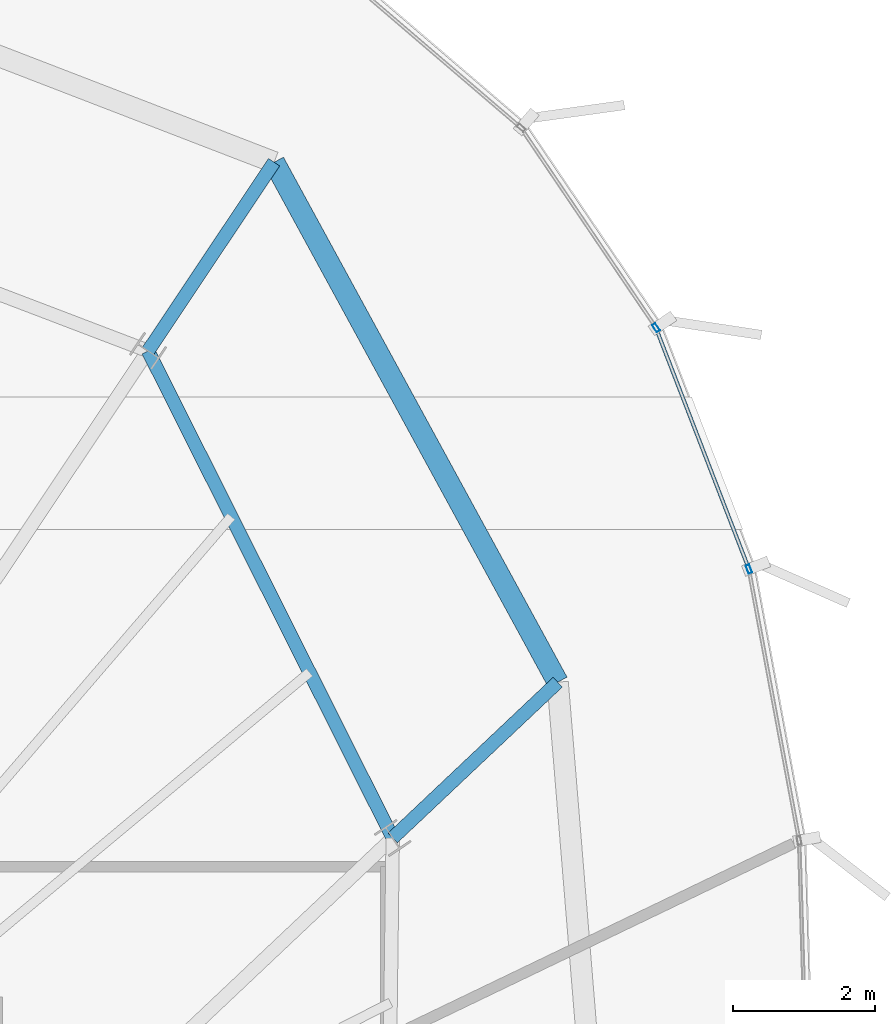
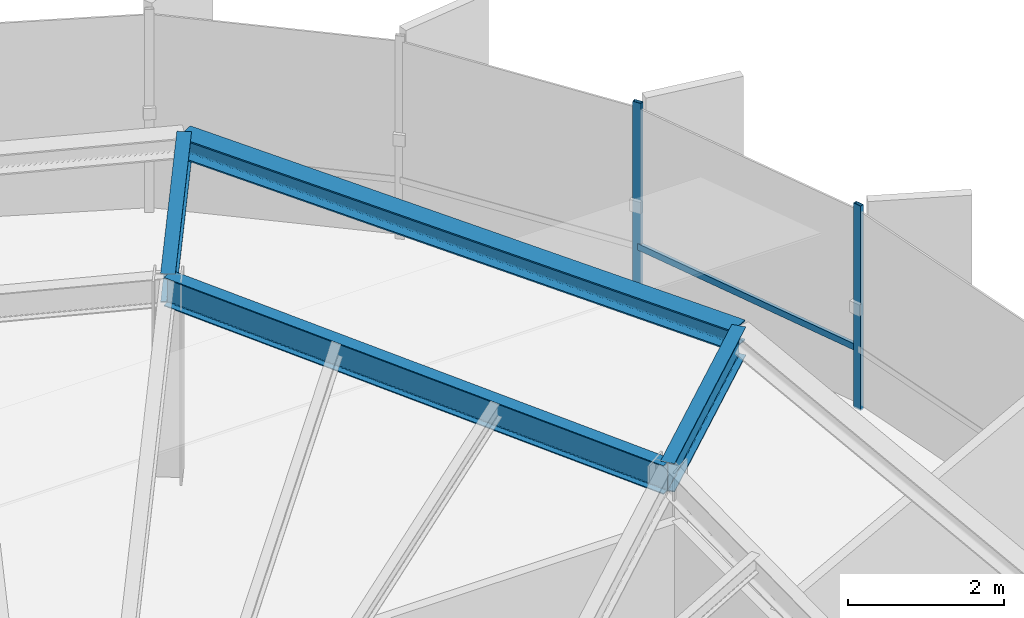
# One storey, part 23 of 33: 4 beams, 3 members, 1 element without a shape of its own.
"""IFC4 building model written with IfcOpenShell, lengths in metres."""

from ifc_helpers import new_model, si_unit, direction, frame, origin, origin_2d, place, context, subcontext, project, spatial, hollow_rectangle, i_section, extrude, source, transform, mapped, material, layer, layer_set, material_profile, profile_set, type_object, element, aggregate, save


model = new_model("IFC4")

# Units and contexts
model_context = context("Model", 3, precision=1e-05, world=origin(), true_north=direction((0.0, 1.0)))
body_context = subcontext(model_context, "Body", "Model", "MODEL_VIEW")
ifc_project = project(units=[si_unit("LENGTHUNIT", "METRE"), si_unit("AREAUNIT", "SQUARE_METRE"), si_unit("VOLUMEUNIT", "CUBIC_METRE"), si_unit("PLANEANGLEUNIT", "RADIAN"), si_unit("MASSUNIT", "GRAM", prefix="KILO"), si_unit("THERMODYNAMICTEMPERATUREUNIT", "KELVIN")], contexts=[model_context])

# Site, building, storey
site_placement = place(None, origin())
site = spatial("IfcSite", under=ifc_project, at=site_placement, CompositionType="ELEMENT")
building_placement = place(site_placement, origin())
building = spatial("IfcBuilding", under=site, at=building_placement, Name="Kethvar Cultural Tower", CompositionType="ELEMENT")
storey_placement = place(building_placement, frame((0.0, 0.0, 266.35009765625)))
storey = spatial("IfcBuildingStorey", under=building, at=storey_placement, Name="L70", CompositionType="ELEMENT", Elevation=266.35009765625)

# Beams
ifc_material_1 = material(Name="Steel S355J2", Category="steel")
ifc_material_profile_1 = material_profile(ifc_material_1, i_section(OverallWidth=0.18994140625, OverallDepth=0.449951171875, WebThickness=0.009521484375, FlangeThickness=0.0146484375, FilletRadius=0.02099609375, at=origin_2d()), Name="Steel S355J2 — IPE450")
ifc_profile_set_1 = profile_set([ifc_material_profile_1], Name="Steel S355J2 — IPE450")
beam_type_1 = type_object("IfcBeamType", Name="BM-IPE450", PredefinedType="BEAM", material=ifc_profile_set_1)
shared_shape_1 = source(origin(), body_context, "Body", "SweptSolid", [
    extrude(i_section(OverallWidth=0.18994140625, OverallDepth=0.449951171875, WebThickness=0.009521484375, FlangeThickness=0.0146484375, FilletRadius=0.02099609375, at=origin_2d()), origin(), (0.0, 0.0, 1.0), 3.199951171875),
])
beam_1_placement = place(storey_placement, frame((61.32568359375, 37.505859375, 2.98291015625), z_axis=(0.727146433404, 0.686482384616, 0.0), x_axis=(-0.686482384616, 0.727146433404, 0.0)))
element("IfcBeam", 1, at=beam_1_placement, inside=storey, type_object=beam_type_1, Name="L70 Perimeter Cantilever Beam RC-02", PredefinedType="BEAM", context=body_context, shape_type="MappedRepresentation", body=[
    mapped(shared_shape_1, transform((0.0, 0.0, 0.0), scale=1.0)),
])
shared_shape_2 = source(origin(), body_context, "Body", "SweptSolid", [
    extrude(i_section(OverallWidth=0.18994140625, OverallDepth=0.449951171875, WebThickness=0.009521484375, FlangeThickness=0.0146484375, FilletRadius=0.02099609375, at=origin_2d()), origin(), (0.0, 0.0, 1.0), 3.2001953125),
])
beam_2_placement = place(storey_placement, frame((57.875244140625, 44.375, 2.98291015625), z_axis=(0.555544970406, 0.831486491686, 0.0), x_axis=(-0.831486491686, 0.555544970406, 0.0)))
element("IfcBeam", 2, at=beam_2_placement, inside=storey, type_object=beam_type_1, Name="L70 Perimeter Cantilever Beam RC-03", PredefinedType="BEAM", context=body_context, shape_type="MappedRepresentation", body=[
    mapped(shared_shape_2, transform((0.0, 0.0, 0.0), scale=1.0)),
])
shared_shape_3 = source(origin(), body_context, "Body", "SweptSolid", [
    extrude(i_section(OverallWidth=0.18994140625, OverallDepth=0.449951171875, WebThickness=0.009521484375, FlangeThickness=0.0146484375, FilletRadius=0.02099609375, at=origin_2d()), origin(), (0.0, 0.0, 1.0), 7.68701171875),
])
beam_3_placement = place(storey_placement, frame((61.32568359375, 37.505859375, 2.98291015625), z_axis=(-0.448864354142, 0.893599905763, 0.0), x_axis=(-0.893599905763, -0.448864354142, 0.0)))
element("IfcBeam", 3, at=beam_3_placement, inside=storey, type_object=beam_type_1, Name="L70 Column Ring Tie Beam CR-02", PredefinedType="BEAM", context=body_context, shape_type="MappedRepresentation", body=[
    mapped(shared_shape_3, transform((0.0, 0.0, 0.0), scale=1.0)),
])
ifc_material_profile_2 = material_profile(ifc_material_1, i_section(OverallWidth=0.300048828125, OverallDepth=0.320068359375, WebThickness=0.011474609375, FlangeThickness=0.0205078125, FilletRadius=0.027099609375, at=origin_2d()), Name="Steel S355J2 — HEB320")
ifc_profile_set_2 = profile_set([ifc_material_profile_2], Name="Steel S355J2 — HEB320")
beam_type_2 = type_object("IfcBeamType", Name="BM-SP320", PredefinedType="SPANDREL", material=ifc_profile_set_2)
shared_shape_4 = source(origin(), body_context, "Body", "SweptSolid", [
    extrude(i_section(OverallWidth=0.300048828125, OverallDepth=0.320068359375, WebThickness=0.011474609375, FlangeThickness=0.0205078125, FilletRadius=0.027099609375, at=origin_2d()), origin(), (0.0, 0.0, 1.0), 8.35302734375),
])
beam_4_placement = place(storey_placement, frame((63.652587890625, 39.70263671875, 3.0478515625), z_axis=(-0.478811173891, 0.877917911742, 0.0), x_axis=(-0.877917911742, -0.478811173891, 0.0)))
element("IfcBeam", 4, at=beam_4_placement, inside=storey, type_object=beam_type_2, Name="L70 Perimeter Spandrel Beam SP-02", PredefinedType="SPANDREL", context=body_context, shape_type="MappedRepresentation", body=[
    mapped(shared_shape_4, transform((0.0, 0.0, 0.0), scale=1.0)),
])

# Curtain wall, members
ifc_material_2 = material(Name="Aluminium 6063-T6", Category="aluminium")
ifc_layer = layer(ifc_material_2, 0.179931640625, Name="Aluminium 6063-T6", Category="aluminium")
ifc_layer_set = layer_set([ifc_layer], Name="Aluminium 6063-T6 (180 mm)")
curtain_wall_type = type_object("IfcCurtainWallType", Name="CW-SYS-05-Z56", PredefinedType="NOTDEFINED", material=ifc_layer_set)
curtain_wall_placement = place(storey_placement, origin())
curtain_wall = element("IfcCurtainWall", 5, at=curtain_wall_placement, inside=storey, type_object=curtain_wall_type, Name="L70 Curtain Wall Run 06", PredefinedType="NOTDEFINED")
ifc_material_profile_3 = material_profile(ifc_material_2, hollow_rectangle(XDim=0.054931640625, YDim=0.1201171875, WallThickness=0.00390625, at=origin_2d()), Name="Aluminium 6063-T6 — RHS120x55x4")
ifc_profile_set_3 = profile_set([ifc_material_profile_3], Name="Aluminium 6063-T6 — RHS120x55x4")
member_type_1 = type_object("IfcMemberType", Name="CW-SYS-05-Z56-MUL", PredefinedType="MULLION", material=ifc_profile_set_3)
shared_shape_5 = source(origin(), body_context, "Body", "SweptSolid", [
    extrude(hollow_rectangle(XDim=0.054931640625, YDim=0.1201171875, WallThickness=0.00390625, at=origin_2d()), origin(), (0.0, 0.0, 1.0), 3.2099609375),
])
member_1_placement = place(storey_placement, frame((66.349365234375, 41.298095703125, 0.0), z_axis=(0.0, 0.0, 1.0), x_axis=(-0.933041470788, -0.359768833822, 0.0)))
member_1 = element("IfcMember", 6, at=member_1_placement, type_object=member_type_1, Name="CW-L70-R06 Mullion 4", PredefinedType="MULLION", context=body_context, shape_type="MappedRepresentation", body=[
    mapped(shared_shape_5, transform((0.0, 0.0, 0.0), scale=1.0)),
])
member_2_placement = place(storey_placement, frame((65.039794921875, 44.701416015625, 0.0), z_axis=(0.0, 0.0, 1.0), x_axis=(-0.828265763922, -0.560335456949, 0.0)))
member_2 = element("IfcMember", 7, at=member_2_placement, type_object=member_type_1, Name="CW-L70-R06 Mullion 5", PredefinedType="MULLION", context=body_context, shape_type="MappedRepresentation", body=[
    mapped(shared_shape_5, transform((0.0, 0.0, 0.0), scale=1.0)),
])
ifc_material_profile_4 = material_profile(ifc_material_2, hollow_rectangle(XDim=0.050048828125, YDim=0.10009765625, WallThickness=0.00390625, at=origin_2d()), Name="Aluminium 6063-T6 — RHS100x50x4")
ifc_profile_set_4 = profile_set([ifc_material_profile_4], Name="Aluminium 6063-T6 — RHS100x50x4")
member_type_2 = type_object("IfcMemberType", Name="CW-SYS-05-Z56-TRN", PredefinedType="USERDEFINED", material=ifc_profile_set_4)
shared_shape_6 = source(origin(), body_context, "Body", "SweptSolid", [
    extrude(hollow_rectangle(XDim=0.050048828125, YDim=0.10009765625, WallThickness=0.00390625, at=origin_2d()), origin(), (0.0, 0.0, 1.0), 3.58984375),
])
member_3_placement = place(storey_placement, frame((66.3349609375, 41.335205078125, 0.949951171875), z_axis=(-0.35977649617, 0.933038516249, 0.0), x_axis=(-0.933038516249, -0.35977649617, 0.0)))
member_3 = element("IfcMember", 8, at=member_3_placement, type_object=member_type_2, Name="CW-L70-R06 Transom 4", ObjectType="TRANSOM", PredefinedType="USERDEFINED", context=body_context, shape_type="MappedRepresentation", body=[
    mapped(shared_shape_6, transform((0.0, 0.0, 0.0), scale=1.0)),
])
aggregate(curtain_wall, [member_1, member_2, member_3])

save(model, "model.ifc")
